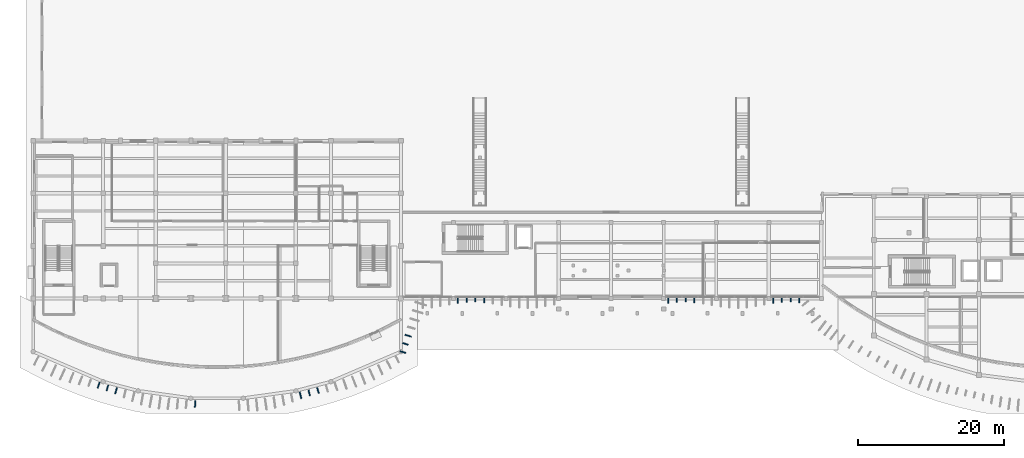
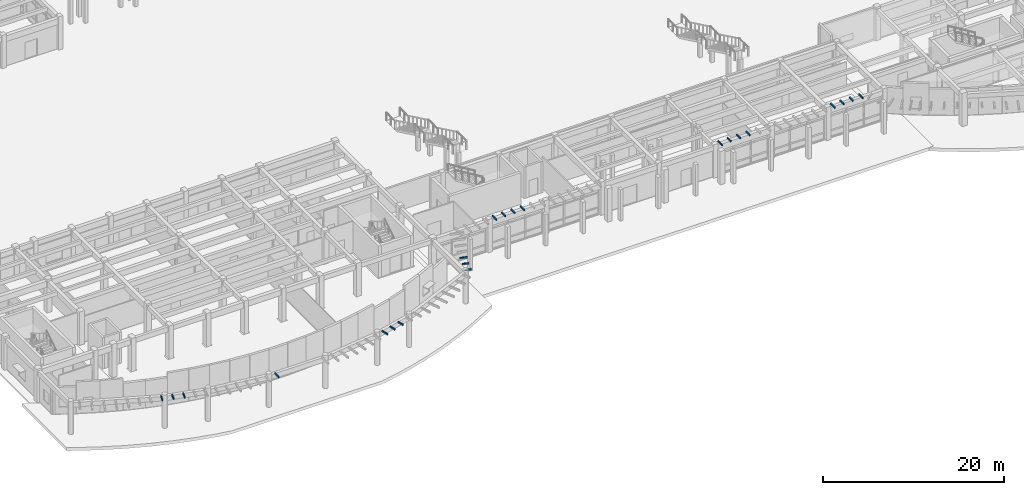
# One storey, part 43 of 58: 22 discrete accessories.
"""IFC4 building model written with IfcOpenShell, lengths in metres."""

from ifc_helpers import new_model, si_unit, direction, frame, origin, origin_2d, place, context, subcontext, project, spatial, rectangle, extrude, material, type_object, element, save


model = new_model("IFC4")

# Units and contexts
model_context = context("Model", 3, precision=1e-05, world=origin(), true_north=direction((0.0, 1.0)))
body_context = subcontext(model_context, "Body", "Model", "MODEL_VIEW")
ifc_project = project(units=[si_unit("LENGTHUNIT", "METRE"), si_unit("AREAUNIT", "SQUARE_METRE"), si_unit("VOLUMEUNIT", "CUBIC_METRE"), si_unit("PLANEANGLEUNIT", "RADIAN"), si_unit("MASSUNIT", "GRAM", prefix="KILO")], contexts=[model_context])

# Site, building, storey
site_placement = place(None, origin())
site = spatial("IfcSite", under=ifc_project, at=site_placement, CompositionType="ELEMENT")
building_placement = place(site_placement, origin())
building = spatial("IfcBuilding", under=site, at=building_placement, Name="Brisavento Harbour Community Centre", CompositionType="ELEMENT")
storey_placement = place(building_placement, origin())
storey = spatial("IfcBuildingStorey", under=building, at=storey_placement, Name="L00", CompositionType="ELEMENT", Elevation=0.0)

# Discrete accessories
ifc_material = material(Name="Stainless steel 1.4401", Category="steel")
discrete_accessory_type = type_object("IfcDiscreteAccessoryType", Name="BRK-FIN-SS", PredefinedType="BRACKET", material=ifc_material)
discrete_accessory_1_placement = place(storey_placement, frame((8.96484375, 2.4970703125, 4.27978515625), z_axis=(0.0, 0.0, 1.0), x_axis=(-0.323174264667, -0.94633947115, 0.0)))
element("IfcDiscreteAccessory", 1, at=discrete_accessory_1_placement, inside=storey, type_object=discrete_accessory_type, Name="Stainless-steel storm-fin bracket 008.2", PredefinedType="BRACKET", context=body_context, shape_type="SweptSolid", body=[
    extrude(rectangle(XDim=0.817626953125, YDim=0.139892578125, at=origin_2d()), origin(), (0.0, 0.0, 1.0), 0.199951171875),
])
discrete_accessory_2_placement = place(storey_placement, frame((10.174560546875, 2.134033203125, 4.27978515625), z_axis=(0.0, 0.0, 1.0), x_axis=(-0.276996031628, -0.96087106235, 0.0)))
element("IfcDiscreteAccessory", 2, at=discrete_accessory_2_placement, inside=storey, type_object=discrete_accessory_type, Name="Stainless-steel storm-fin bracket 009.2", PredefinedType="BRACKET", context=body_context, shape_type="SweptSolid", body=[
    extrude(rectangle(XDim=0.783203125, YDim=0.139892578125, at=origin_2d()), origin(), (0.0, 0.0, 1.0), 0.199951171875),
])
discrete_accessory_3_placement = place(storey_placement, frame((11.3623046875, 1.74560546875, 4.27978515625), z_axis=(0.0, 0.0, 1.0), x_axis=(-0.276996031628, -0.96087106235, 0.0)))
element("IfcDiscreteAccessory", 3, at=discrete_accessory_3_placement, inside=storey, type_object=discrete_accessory_type, Name="Stainless-steel storm-fin bracket 010.2", PredefinedType="BRACKET", context=body_context, shape_type="SweptSolid", body=[
    extrude(rectangle(XDim=0.8720703125, YDim=0.139892578125, at=origin_2d()), origin(), (0.0, 0.0, 1.0), 0.199951171875),
])
discrete_accessory_4_placement = place(storey_placement, frame((22.192626953125, -0.0615234375, 4.27978515625), z_axis=(0.0, 0.0, 1.0), x_axis=(-0.0461649984, -0.9989338281, 0.0)))
element("IfcDiscreteAccessory", 4, at=discrete_accessory_4_placement, inside=storey, type_object=discrete_accessory_type, Name="Stainless-steel storm-fin bracket 019.2", PredefinedType="BRACKET", context=body_context, shape_type="SweptSolid", body=[
    extrude(rectangle(XDim=0.917236328125, YDim=0.139892578125, at=origin_2d()), origin(), (0.0, 0.0, 1.0), 0.199951171875),
])
discrete_accessory_5_placement = place(storey_placement, frame((36.63525390625, 1.128173828125, 4.27978515625), z_axis=(0.0, 0.0, 1.0), x_axis=(0.230830981037, -0.972993863389, 0.0)))
element("IfcDiscreteAccessory", 5, at=discrete_accessory_5_placement, inside=storey, type_object=discrete_accessory_type, Name="Stainless-steel storm-fin bracket 027.2", PredefinedType="BRACKET", context=body_context, shape_type="SweptSolid", body=[
    extrude(rectangle(XDim=0.904541015625, YDim=0.139892578125, at=origin_2d()), origin(), (0.0, 0.0, 1.0), 0.199951171875),
])
discrete_accessory_6_placement = place(storey_placement, frame((37.822265625, 1.467041015625, 4.27978515625), z_axis=(0.0, 0.0, 1.0), x_axis=(0.230830981037, -0.972993863389, 0.0)))
element("IfcDiscreteAccessory", 6, at=discrete_accessory_6_placement, inside=storey, type_object=discrete_accessory_type, Name="Stainless-steel storm-fin bracket 028.2", PredefinedType="BRACKET", context=body_context, shape_type="SweptSolid", body=[
    extrude(rectangle(XDim=0.79296875, YDim=0.139892578125, at=origin_2d()), origin(), (0.0, 0.0, 1.0), 0.199951171875),
])
discrete_accessory_7_placement = place(storey_placement, frame((39.02734375, 1.781005859375, 4.27978515625), z_axis=(0.0, 0.0, 1.0), x_axis=(0.276996031628, -0.96087106235, 0.0)))
element("IfcDiscreteAccessory", 7, at=discrete_accessory_7_placement, inside=storey, type_object=discrete_accessory_type, Name="Stainless-steel storm-fin bracket 029.2", PredefinedType="BRACKET", context=body_context, shape_type="SweptSolid", body=[
    extrude(rectangle(XDim=0.79833984375, YDim=0.139892578125, at=origin_2d()), origin(), (0.0, 0.0, 1.0), 0.199951171875),
])
discrete_accessory_8_placement = place(storey_placement, frame((50.669921875, 7.047607421875, 4.27978515625), z_axis=(0.0, 0.0, 1.0), x_axis=(0.956676487643, -0.291153049083, 0.0)))
element("IfcDiscreteAccessory", 8, at=discrete_accessory_8_placement, inside=storey, type_object=discrete_accessory_type, Name="Stainless-steel storm-fin bracket 039.2", PredefinedType="BRACKET", context=body_context, shape_type="SweptSolid", body=[
    extrude(rectangle(XDim=0.8056640625, YDim=0.139892578125, at=origin_2d()), origin(), (0.0, 0.0, 1.0), 0.199951171875),
])
discrete_accessory_9_placement = place(storey_placement, frame((51.003173828125, 8.177001953125, 4.27978515625), z_axis=(0.0, 0.0, 1.0), x_axis=(0.956676487643, -0.291153049083, 0.0)))
element("IfcDiscreteAccessory", 9, at=discrete_accessory_9_placement, inside=storey, type_object=discrete_accessory_type, Name="Stainless-steel storm-fin bracket 040.2", PredefinedType="BRACKET", context=body_context, shape_type="SweptSolid", body=[
    extrude(rectangle(XDim=0.78564453125, YDim=0.139892578125, at=origin_2d()), origin(), (0.0, 0.0, 1.0), 0.199951171875),
])
discrete_accessory_10_placement = place(storey_placement, frame((51.38818359375, 9.290771484375, 4.27978515625), z_axis=(0.0, 0.0, 1.0), x_axis=(0.956676487643, -0.291153049083, 0.0)))
element("IfcDiscreteAccessory", 10, at=discrete_accessory_10_placement, inside=storey, type_object=discrete_accessory_type, Name="Stainless-steel storm-fin bracket 041.2", PredefinedType="BRACKET", context=body_context, shape_type="SweptSolid", body=[
    extrude(rectangle(XDim=0.874267578125, YDim=0.139892578125, at=origin_2d()), origin(), (0.0, 0.0, 1.0), 0.199951171875),
])
discrete_accessory_11_placement = place(storey_placement, frame((58.199951171875, 14.223388671875, 4.27978515625), z_axis=(0.0, 0.0, 1.0), x_axis=(0.0, -1.0, 0.0)))
element("IfcDiscreteAccessory", 11, at=discrete_accessory_11_placement, inside=storey, type_object=discrete_accessory_type, Name="Stainless-steel storm-fin bracket 050.2", PredefinedType="BRACKET", context=body_context, shape_type="SweptSolid", body=[
    extrude(rectangle(XDim=0.953125, YDim=0.139892578125, at=origin_2d()), origin(), (0.0, 0.0, 1.0), 0.199951171875),
])
discrete_accessory_12_placement = place(storey_placement, frame((59.39990234375, 14.292236328125, 4.27978515625), z_axis=(0.0, 0.0, 1.0), x_axis=(0.0, -1.0, 0.0)))
element("IfcDiscreteAccessory", 12, at=discrete_accessory_12_placement, inside=storey, type_object=discrete_accessory_type, Name="Stainless-steel storm-fin bracket 051.2", PredefinedType="BRACKET", context=body_context, shape_type="SweptSolid", body=[
    extrude(rectangle(XDim=0.815673828125, YDim=0.139892578125, at=origin_2d()), origin(), (0.0, 0.0, 1.0), 0.199951171875),
])
discrete_accessory_13_placement = place(storey_placement, frame((60.60009765625, 14.30859375, 4.27978515625), z_axis=(0.0, 0.0, 1.0), x_axis=(0.0, -1.0, 0.0)))
element("IfcDiscreteAccessory", 13, at=discrete_accessory_13_placement, inside=storey, type_object=discrete_accessory_type, Name="Stainless-steel storm-fin bracket 052.2", PredefinedType="BRACKET", context=body_context, shape_type="SweptSolid", body=[
    extrude(rectangle(XDim=0.78271484375, YDim=0.139892578125, at=origin_2d()), origin(), (0.0, 0.0, 1.0), 0.199951171875),
])
discrete_accessory_14_placement = place(storey_placement, frame((61.800048828125, 14.2685546875, 4.27978515625), z_axis=(0.0, 0.0, 1.0), x_axis=(0.0, -1.0, 0.0)))
element("IfcDiscreteAccessory", 14, at=discrete_accessory_14_placement, inside=storey, type_object=discrete_accessory_type, Name="Stainless-steel storm-fin bracket 053.2", PredefinedType="BRACKET", context=body_context, shape_type="SweptSolid", body=[
    extrude(rectangle(XDim=0.86279296875, YDim=0.139892578125, at=origin_2d()), origin(), (0.0, 0.0, 1.0), 0.199951171875),
])
discrete_accessory_15_placement = place(storey_placement, frame((87.0, 14.223388671875, 4.27978515625), z_axis=(0.0, 0.0, 1.0), x_axis=(0.0, -1.0, 0.0)))
element("IfcDiscreteAccessory", 15, at=discrete_accessory_15_placement, inside=storey, type_object=discrete_accessory_type, Name="Stainless-steel storm-fin bracket 074.2", PredefinedType="BRACKET", context=body_context, shape_type="SweptSolid", body=[
    extrude(rectangle(XDim=0.953125, YDim=0.139892578125, at=origin_2d()), origin(), (0.0, 0.0, 1.0), 0.199951171875),
])
discrete_accessory_16_placement = place(storey_placement, frame((88.199951171875, 14.292236328125, 4.27978515625), z_axis=(0.0, 0.0, 1.0), x_axis=(0.0, -1.0, 0.0)))
element("IfcDiscreteAccessory", 16, at=discrete_accessory_16_placement, inside=storey, type_object=discrete_accessory_type, Name="Stainless-steel storm-fin bracket 075.2", PredefinedType="BRACKET", context=body_context, shape_type="SweptSolid", body=[
    extrude(rectangle(XDim=0.815673828125, YDim=0.139892578125, at=origin_2d()), origin(), (0.0, 0.0, 1.0), 0.199951171875),
])
discrete_accessory_17_placement = place(storey_placement, frame((89.39990234375, 14.30859375, 4.27978515625), z_axis=(0.0, 0.0, 1.0), x_axis=(0.0, -1.0, 0.0)))
element("IfcDiscreteAccessory", 17, at=discrete_accessory_17_placement, inside=storey, type_object=discrete_accessory_type, Name="Stainless-steel storm-fin bracket 076.2", PredefinedType="BRACKET", context=body_context, shape_type="SweptSolid", body=[
    extrude(rectangle(XDim=0.78271484375, YDim=0.139892578125, at=origin_2d()), origin(), (0.0, 0.0, 1.0), 0.199951171875),
])
discrete_accessory_18_placement = place(storey_placement, frame((90.60009765625, 14.2685546875, 4.27978515625), z_axis=(0.0, 0.0, 1.0), x_axis=(0.0, -1.0, 0.0)))
element("IfcDiscreteAccessory", 18, at=discrete_accessory_18_placement, inside=storey, type_object=discrete_accessory_type, Name="Stainless-steel storm-fin bracket 077.2", PredefinedType="BRACKET", context=body_context, shape_type="SweptSolid", body=[
    extrude(rectangle(XDim=0.86279296875, YDim=0.139892578125, at=origin_2d()), origin(), (0.0, 0.0, 1.0), 0.199951171875),
])
discrete_accessory_19_placement = place(storey_placement, frame((101.39990234375, 14.223388671875, 4.27978515625), z_axis=(0.0, 0.0, 1.0), x_axis=(0.0, -1.0, 0.0)))
element("IfcDiscreteAccessory", 19, at=discrete_accessory_19_placement, inside=storey, type_object=discrete_accessory_type, Name="Stainless-steel storm-fin bracket 086.2", PredefinedType="BRACKET", context=body_context, shape_type="SweptSolid", body=[
    extrude(rectangle(XDim=0.953125, YDim=0.139892578125, at=origin_2d()), origin(), (0.0, 0.0, 1.0), 0.199951171875),
])
discrete_accessory_20_placement = place(storey_placement, frame((102.60009765625, 14.292236328125, 4.27978515625), z_axis=(0.0, 0.0, 1.0), x_axis=(0.0, -1.0, 0.0)))
element("IfcDiscreteAccessory", 20, at=discrete_accessory_20_placement, inside=storey, type_object=discrete_accessory_type, Name="Stainless-steel storm-fin bracket 087.2", PredefinedType="BRACKET", context=body_context, shape_type="SweptSolid", body=[
    extrude(rectangle(XDim=0.815673828125, YDim=0.139892578125, at=origin_2d()), origin(), (0.0, 0.0, 1.0), 0.199951171875),
])
discrete_accessory_21_placement = place(storey_placement, frame((103.800048828125, 14.30859375, 4.27978515625), z_axis=(0.0, 0.0, 1.0), x_axis=(0.0, -1.0, 0.0)))
element("IfcDiscreteAccessory", 21, at=discrete_accessory_21_placement, inside=storey, type_object=discrete_accessory_type, Name="Stainless-steel storm-fin bracket 088.2", PredefinedType="BRACKET", context=body_context, shape_type="SweptSolid", body=[
    extrude(rectangle(XDim=0.78271484375, YDim=0.139892578125, at=origin_2d()), origin(), (0.0, 0.0, 1.0), 0.199951171875),
])
discrete_accessory_22_placement = place(storey_placement, frame((105.0, 14.2685546875, 4.27978515625), z_axis=(0.0, 0.0, 1.0), x_axis=(0.0, -1.0, 0.0)))
element("IfcDiscreteAccessory", 22, at=discrete_accessory_22_placement, inside=storey, type_object=discrete_accessory_type, Name="Stainless-steel storm-fin bracket 089.2", PredefinedType="BRACKET", context=body_context, shape_type="SweptSolid", body=[
    extrude(rectangle(XDim=0.86279296875, YDim=0.139892578125, at=origin_2d()), origin(), (0.0, 0.0, 1.0), 0.199951171875),
])

save(model, "model.ifc")
